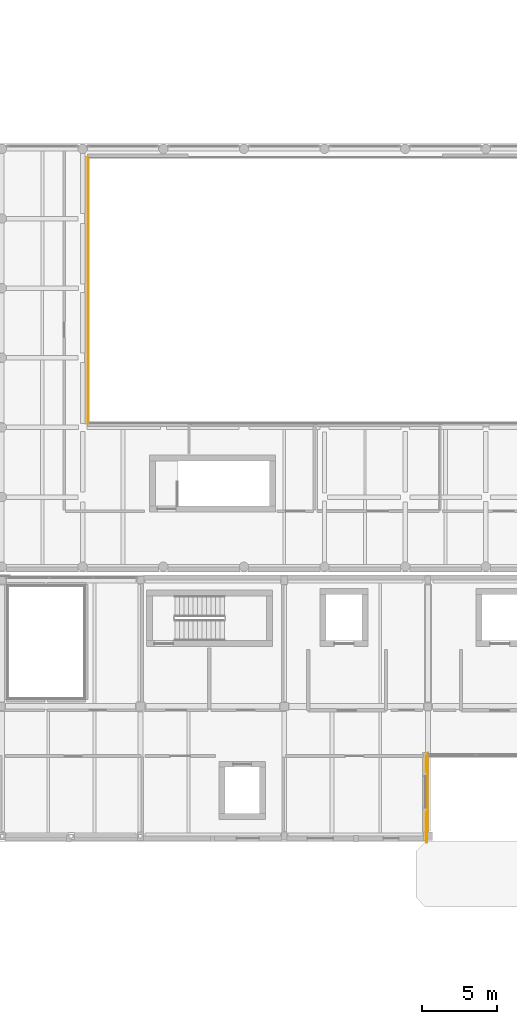
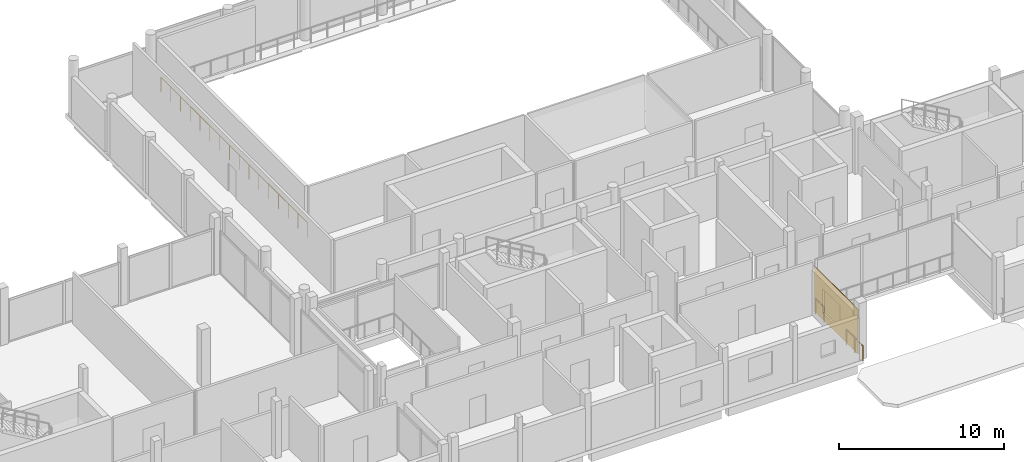
# One storey, part 56 of 66: 3 railings, 1 covering.
"""IFC4 building model written with IfcOpenShell, lengths in metres."""

from ifc_helpers import new_model, si_unit, direction, frame, origin, origin_2d, place, context, subcontext, project, spatial, rectangle, circle, extrude, material, layer, layer_set, type_object, element, save


model = new_model("IFC4")

# Units and contexts
model_context = context("Model", 3, precision=1e-05, world=origin(), true_north=direction((0.0, 1.0)))
body_context = subcontext(model_context, "Body", "Model", "MODEL_VIEW")
ifc_project = project(units=[si_unit("LENGTHUNIT", "METRE"), si_unit("AREAUNIT", "SQUARE_METRE"), si_unit("VOLUMEUNIT", "CUBIC_METRE"), si_unit("PLANEANGLEUNIT", "RADIAN"), si_unit("MASSUNIT", "GRAM", prefix="KILO")], contexts=[model_context])

# Site, building, storey
site_placement = place(None, origin())
site = spatial("IfcSite", under=ifc_project, at=site_placement, CompositionType="ELEMENT")
building_placement = place(site_placement, origin())
building = spatial("IfcBuilding", under=site, at=building_placement, Name="Birchvale Park Specialist Clinic", CompositionType="ELEMENT")
storey_placement = place(building_placement, frame((0.0, 0.0, 5.39990234375)))
storey = spatial("IfcBuildingStorey", under=building, at=storey_placement, Name="L01", CompositionType="ELEMENT", Elevation=5.39990234375)

# Covering
ifc_material_1 = material(Name="Nordic larch vertical rainscreen cladding")
ifc_layer = layer(ifc_material_1, 0.044921875)
ifc_layer_set = layer_set([ifc_layer], Name="Nordic larch vertical rainscreen cladding")
covering_type = type_object("IfcCoveringType", Name="COV-CL1", PredefinedType="CLADDING", material=ifc_layer_set)
covering_placement = place(storey_placement, frame((80.6025390625, 20.08740234375, 0.02001953125), z_axis=(0.0, 0.0, 1.0), x_axis=(0.0, 1.0, 0.0)))
element("IfcCovering", 1, at=covering_placement, inside=storey, type_object=covering_type, Name="V4 L01 Nordic larch cladding 9", PredefinedType="CLADDING", context=body_context, shape_type="SweptSolid", body=[
    extrude(rectangle(XDim=5.264892578125, YDim=0.044921875, at=origin_2d()), origin(), (0.0, 0.0, 1.0), 3.294921875),
])

# Railings
ifc_material_2 = material(Name="Brushed stainless steel and laminated glass balustrade", Category="steel")
railing_type = type_object("IfcRailingType", Name="RL-BAL1", PredefinedType="BALUSTRADE", material=ifc_material_2)
railing_1_placement = place(storey_placement, frame((57.919921875, 62.47998046875, 0.0)))
element("IfcRailing", 2, at=railing_1_placement, inside=storey, type_object=railing_type, Name="V1 L01 atrium void balustrade 4", PredefinedType="BALUSTRADE", context=body_context, shape_type="SweptSolid", body=[
    extrude(circle(Radius=0.02392578125, at=origin_2d()), frame((0.0, 0.0, 1.09619140625), z_axis=(0.0, -1.0, 0.0), x_axis=(1.0, 0.0, 0.0)), (0.0, 0.0, 1.0), 17.760009765625),
    extrude(circle(Radius=0.02099609375, at=origin_2d()), origin(), (0.0, 0.0, 1.0), 1.072021484375),
    extrude(circle(Radius=0.02099609375, at=origin_2d()), frame((0.0, -1.18408203125, 0.0)), (0.0, 0.0, 1.0), 1.072021484375),
    extrude(circle(Radius=0.02099609375, at=origin_2d()), frame((0.0, -2.367919921875, 0.0)), (0.0, 0.0, 1.0), 1.072021484375),
    extrude(circle(Radius=0.02099609375, at=origin_2d()), frame((0.0, -3.552001953125, 0.0)), (0.0, 0.0, 1.0), 1.072021484375),
    extrude(circle(Radius=0.02099609375, at=origin_2d()), frame((0.0, -4.736083984375, 0.0)), (0.0, 0.0, 1.0), 1.072021484375),
    extrude(circle(Radius=0.02099609375, at=origin_2d()), frame((0.0, -5.919921875, 0.0)), (0.0, 0.0, 1.0), 1.072021484375),
    extrude(circle(Radius=0.02099609375, at=origin_2d()), frame((0.0, -7.10400390625, 0.0)), (0.0, 0.0, 1.0), 1.072021484375),
    extrude(circle(Radius=0.02099609375, at=origin_2d()), frame((0.0, -8.2880859375, 0.0)), (0.0, 0.0, 1.0), 1.072021484375),
    extrude(circle(Radius=0.02099609375, at=origin_2d()), frame((0.0, -9.471923828125, 0.0)), (0.0, 0.0, 1.0), 1.072021484375),
    extrude(circle(Radius=0.02099609375, at=origin_2d()), frame((0.0, -10.656005859375, 0.0)), (0.0, 0.0, 1.0), 1.072021484375),
    extrude(circle(Radius=0.02099609375, at=origin_2d()), frame((0.0, -11.840087890625, 0.0)), (0.0, 0.0, 1.0), 1.072021484375),
    extrude(circle(Radius=0.02099609375, at=origin_2d()), frame((0.0, -13.02392578125, 0.0)), (0.0, 0.0, 1.0), 1.072021484375),
    extrude(circle(Radius=0.02099609375, at=origin_2d()), frame((0.0, -14.2080078125, 0.0)), (0.0, 0.0, 1.0), 1.072021484375),
    extrude(circle(Radius=0.02099609375, at=origin_2d()), frame((0.0, -15.39208984375, 0.0)), (0.0, 0.0, 1.0), 1.072021484375),
    extrude(circle(Radius=0.02099609375, at=origin_2d()), frame((0.0, -16.575927734375, 0.0)), (0.0, 0.0, 1.0), 1.072021484375),
    extrude(circle(Radius=0.02099609375, at=origin_2d()), frame((0.0, -17.760009765625, 0.0)), (0.0, 0.0, 1.0), 1.072021484375),
])
railing_2_placement = place(storey_placement, frame((80.52001953125, 22.47998046875, 0.0)))
element("IfcRailing", 3, at=railing_2_placement, inside=storey, type_object=railing_type, Name="V4 L01 atrium void balustrade 12", PredefinedType="BALUSTRADE", context=body_context, shape_type="SweptSolid", body=[
    extrude(circle(Radius=0.02392578125, at=origin_2d()), frame((0.0, 0.0, 1.09619140625), z_axis=(0.0, -1.0, 0.0), x_axis=(1.0, 0.0, 0.0)), (0.0, 0.0, 1.0), 1.0224609375),
    extrude(circle(Radius=0.02099609375, at=origin_2d()), origin(), (0.0, 0.0, 1.0), 1.072021484375),
    extrude(circle(Radius=0.02099609375, at=origin_2d()), frame((0.0, -1.0224609375, 0.0)), (0.0, 0.0, 1.0), 1.072021484375),
])
railing_3_placement = place(storey_placement, frame((80.52001953125, 18.717529296875, 0.0)))
element("IfcRailing", 4, at=railing_3_placement, inside=storey, type_object=railing_type, Name="V4 L01 atrium void balustrade 13", PredefinedType="BALUSTRADE", context=body_context, shape_type="SweptSolid", body=[
    extrude(circle(Radius=0.02392578125, at=origin_2d()), frame((0.0, 0.0, 1.09619140625), z_axis=(0.0, -1.0, 0.0), x_axis=(1.0, 0.0, 0.0)), (0.0, 0.0, 1.0), 1.99755859375),
    extrude(circle(Radius=0.02099609375, at=origin_2d()), origin(), (0.0, 0.0, 1.0), 1.072021484375),
    extrude(circle(Radius=0.02099609375, at=origin_2d()), frame((0.0, -0.998779296875, 0.0)), (0.0, 0.0, 1.0), 1.072021484375),
    extrude(circle(Radius=0.02099609375, at=origin_2d()), frame((0.0, -1.99755859375, 0.0)), (0.0, 0.0, 1.0), 1.072021484375),
])

save(model, "model.ifc")
